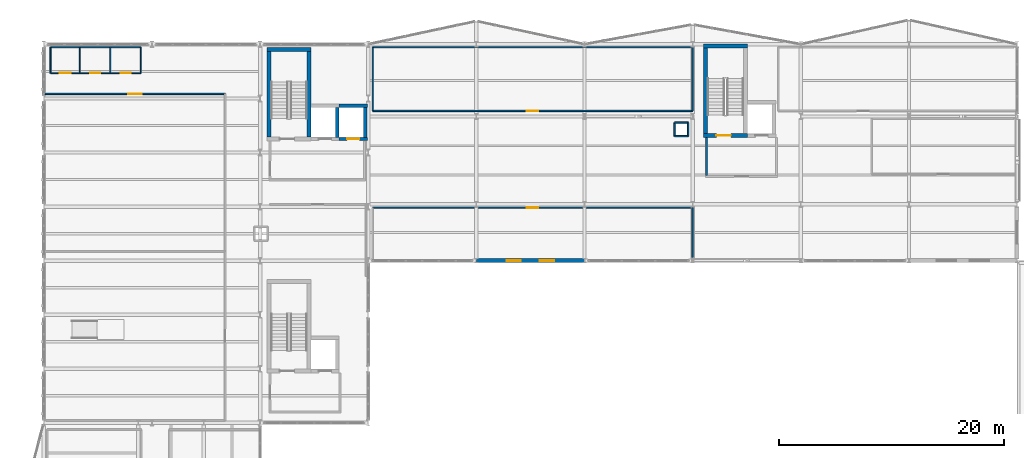
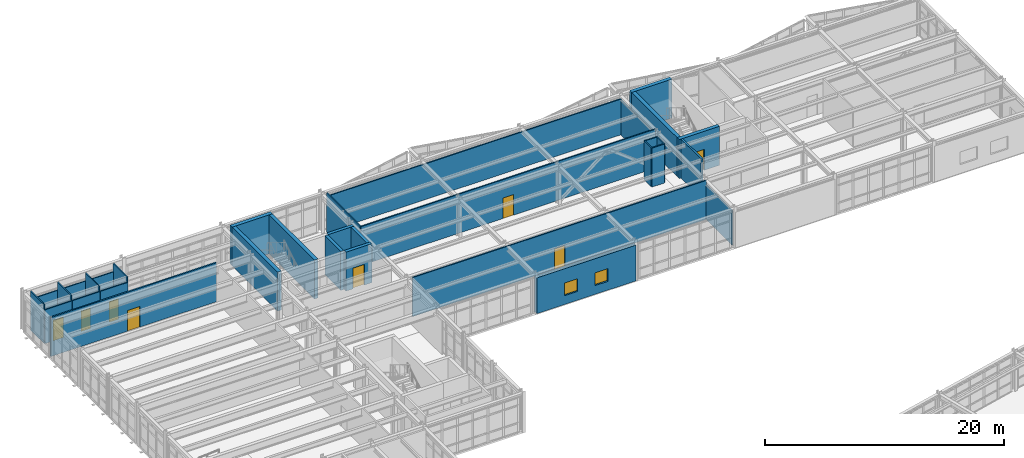
# One storey, part 65 of 76: 33 walls, 8 doors, 2 windows, 10 openings.
"""IFC4 building model written with IfcOpenShell, lengths in metres."""

from ifc_helpers import new_model, si_unit, direction, frame, frame_2d, origin, place, context, subcontext, project, spatial, rectangle, extrude, material, layer, layer_set, type_object, element, fill, save


model = new_model("IFC4")

# Units and contexts
model_context = context("Model", 3, precision=1e-05, world=origin(), true_north=direction((0.0, 1.0)))
body_context = subcontext(model_context, "Body", "Model", "MODEL_VIEW")
ifc_project = project(units=[si_unit("LENGTHUNIT", "METRE"), si_unit("AREAUNIT", "SQUARE_METRE"), si_unit("VOLUMEUNIT", "CUBIC_METRE"), si_unit("PLANEANGLEUNIT", "RADIAN"), si_unit("MASSUNIT", "GRAM", prefix="KILO")], contexts=[model_context])

# Site, building, storey
site_placement = place(None, origin())
site = spatial("IfcSite", under=ifc_project, at=site_placement, CompositionType="ELEMENT")
building_placement = place(site_placement, origin())
building = spatial("IfcBuilding", under=site, at=building_placement, Name="Nordkorset Police Headquarters", CompositionType="ELEMENT")
storey_placement = place(building_placement, frame((0.0, 0.0, 13.64990234375)))
storey = spatial("IfcBuildingStorey", under=building, at=storey_placement, Name="L03", CompositionType="ELEMENT", Elevation=13.64990234375)

# Wall, opening, door
ifc_material_1 = material(Name="Gypsum board", Category="gypsum")
ifc_layer_1 = layer(ifc_material_1, 0.139892578125, Name="Gypsum board")
ifc_layer_set_1 = layer_set([ifc_layer_1], Name="Gypsum board")
wall_type_1 = type_object("IfcWallType", Name="Wall_Acoust_140", PredefinedType="PARTITIONING", material=ifc_layer_set_1)
wall_1_placement = place(storey_placement, frame((16.10009765625, 112.39990234375, 0.0), z_axis=(0.0, 0.0, 1.0), x_axis=(-1.0, 0.0, 0.0)))
wall_1 = element("IfcWall", 1, at=wall_1_placement, inside=storey, type_object=wall_type_1, Name="Interior Partition Wall Encrypted Case Coordination Room", PredefinedType="PARTITIONING", context=body_context, shape_type="SweptSolid", body=[
    extrude(rectangle(XDim=16.01513671875, YDim=0.139892578125, at=frame_2d((8.007568359375, 0.0))), origin(), (0.0, 0.0, 1.0), 3.97998046875),
])
opening_1_placement = place(wall_1_placement, frame((7.41748046875, 0.0, 0.0)))
opening_1 = element("IfcOpeningElement", 2, at=opening_1_placement, cuts=wall_1, Name="Opening DR-22", PredefinedType="OPENING", context=body_context, shape_type="SweptSolid", body=[
    extrude(rectangle(XDim=1.179931640625, YDim=2.10009765625, at=frame_2d((0.58984375, 1.050048828125))), frame((0.0, 0.080078125, 0.0), z_axis=(0.0, -1.0, 0.0), x_axis=(1.0, 0.0, 0.0)), (0.0, 0.0, 1.0), 0.159912109375),
])
ifc_material_2 = material(Name="Glulam GL30c", Category="wood")
door_type_1 = type_object("IfcDoorType", Name="Door_Meeting_1180x2100", OperationType="NOTDEFINED", PredefinedType="DOOR", material=ifc_material_2)
door_1_placement = place(opening_1_placement, frame((1.179931640625, 0.0, 0.0), z_axis=(0.0, 0.0, 1.0), x_axis=(-1.0, 0.0, 0.0)))
door_1 = element("IfcDoor", 3, at=door_1_placement, inside=storey, type_object=door_type_1, Name="Interior Door Encrypted Case Coordination Room", OperationType="SINGLE_SWING_LEFT", OverallHeight=2.10009765625, OverallWidth=1.179931640625, PredefinedType="DOOR", context=body_context, shape_type="SweptSolid", body=[
    extrude(rectangle(XDim=1.179931640625, YDim=2.10009765625, at=frame_2d((0.58984375, 1.050048828125))), frame((0.0, 0.02490234375, 0.0), z_axis=(0.0, -1.0, 0.0), x_axis=(1.0, 0.0, 0.0)), (0.0, 0.0, 1.0), 0.050048828125),
])
fill(opening_1, door_1)

# Walls
ifc_material_3 = material(Name="Gypsum board", Category="gypsum")
ifc_layer_2 = layer(ifc_material_3, 0.179931640625, Name="Gypsum board")
ifc_layer_set_2 = layer_set([ifc_layer_2], Name="Gypsum board")
wall_type_2 = type_object("IfcWallType", Name="Wall_Comp_180", PredefinedType="PARTITIONING", material=ifc_layer_set_2)
wall_2_placement = place(storey_placement, frame((58.840087890625, 105.14990234375, 0.0), z_axis=(0.0, 0.0, 1.0), x_axis=(0.0, 1.0, 0.0)))
element("IfcWall", 4, at=wall_2_placement, inside=storey, type_object=wall_type_2, Name="Firefighting Lobby EI 60 Wall K2 L03 W", PredefinedType="PARTITIONING", context=body_context, shape_type="SweptSolid", body=[
    extrude(rectangle(XDim=3.375, YDim=0.179931640625, at=frame_2d((1.6875, 0.0))), origin(), (0.0, 0.0, 1.0), 3.97998046875),
])
ifc_material_4 = material(Name="Concrete C35/45", Category="concrete")
ifc_layer_3 = layer(ifc_material_4, 0.35009765625, Name="Concrete C35/45")
ifc_layer_set_3 = layer_set([ifc_layer_3], Name="Concrete C35/45")
wall_type_3 = type_object("IfcWallType", Name="Wall_CoreShear_350", PredefinedType="SHEAR", material=ifc_layer_set_3)
wall_3_placement = place(storey_placement, frame((19.824951171875, 116.35009765625, 0.0), z_axis=(0.0, 0.0, 1.0), x_axis=(1.0, 0.0, 0.0)))
element("IfcWall", 5, at=wall_3_placement, inside=storey, type_object=wall_type_3, Name="Core K1 Stair Shaft North Shear Wall L03", PredefinedType="SHEAR", context=body_context, shape_type="SweptSolid", body=[
    extrude(rectangle(XDim=3.900146484375, YDim=0.35009765625, at=frame_2d((1.9501953125, 0.0))), origin(), (0.0, 0.0, 1.0), 3.97998046875),
])
for number, where, z_axis, x_axis, name in (
    (6, (20.0, 108.574951171875, 0.0), (0.0, 0.0, 1.0), (0.0, 1.0, 0.0), "Core K1 Stair Shaft West Shear Wall L03"),
    (7, (23.550048828125, 108.574951171875, 0.0), (0.0, 0.0, 1.0), (0.0, 1.0, 0.0), "Core K1 Stair Shaft East Shear Wall L03"),
):
    element("IfcWall", number, at=place(storey_placement, frame(where, z_axis=z_axis, x_axis=x_axis)), inside=storey, type_object=wall_type_3, Name=name, PredefinedType="SHEAR", context=body_context, shape_type="SweptSolid", body=[
        extrude(rectangle(XDim=7.60009765625, YDim=0.35009765625, at=frame_2d((3.800048828125, 0.0))), origin(), (0.0, 0.0, 1.0), 3.97998046875),
    ])

# Wall, opening, door
wall_4_placement = place(storey_placement, frame((58.574951171875, 108.699951171875, 0.0), z_axis=(0.0, 0.0, 1.0), x_axis=(1.0, 0.0, 0.0)))
wall_4 = element("IfcWall", 8, at=wall_4_placement, inside=storey, type_object=wall_type_3, Name="Core K2 Stair Shaft South Shear Wall L03", PredefinedType="SHEAR", context=body_context, shape_type="SweptSolid", body=[
    extrude(rectangle(XDim=3.900146484375, YDim=0.35009765625, at=frame_2d((1.9501953125, 0.0))), origin(), (0.0, 0.0, 1.0), 3.97998046875),
])
opening_2_placement = place(wall_4_placement, frame((1.125, 0.0, 0.0)))
opening_2 = element("IfcOpeningElement", 9, at=opening_2_placement, cuts=wall_4, Name="Opening DR-20", PredefinedType="OPENING", context=body_context, shape_type="SweptSolid", body=[
    extrude(rectangle(XDim=1.300048828125, YDim=2.14990234375, at=frame_2d((0.64990234375, 1.074951171875))), frame((0.0, 0.18505859375, 0.0), z_axis=(0.0, -1.0, 0.0), x_axis=(1.0, 0.0, 0.0)), (0.0, 0.0, 1.0), 0.3701171875),
])
ifc_material_5 = material(Name="Steel S355J2", Category="steel")
door_type_2 = type_object("IfcDoorType", Name="Door_Stair_1300x2150", OperationType="NOTDEFINED", PredefinedType="DOOR", material=ifc_material_5)
door_2_placement = place(opening_2_placement, frame((1.300048828125, 0.0, 0.0), z_axis=(0.0, 0.0, 1.0), x_axis=(-1.0, 0.0, 0.0)))
door_2 = element("IfcDoor", 10, at=door_2_placement, inside=storey, type_object=door_type_2, Name="Protected Stair Fire Door ST-02 L03", OperationType="SINGLE_SWING_RIGHT", OverallHeight=2.14990234375, OverallWidth=1.300048828125, PredefinedType="DOOR", context=body_context, shape_type="SweptSolid", body=[
    extrude(rectangle(XDim=1.300048828125, YDim=2.14990234375, at=frame_2d((0.64990234375, 1.074951171875))), frame((0.0, 0.02490234375, 0.0), z_axis=(0.0, -1.0, 0.0), x_axis=(1.0, 0.0, 0.0)), (0.0, 0.0, 1.0), 0.050048828125),
])
fill(opening_2, door_2)

# Walls
wall_5_placement = place(storey_placement, frame((58.574951171875, 116.64990234375, 0.0), z_axis=(0.0, 0.0, 1.0), x_axis=(1.0, 0.0, 0.0)))
element("IfcWall", 11, at=wall_5_placement, inside=storey, type_object=wall_type_3, Name="Core K2 Stair Shaft North Shear Wall L03", PredefinedType="SHEAR", context=body_context, shape_type="SweptSolid", body=[
    extrude(rectangle(XDim=3.900146484375, YDim=0.35009765625, at=frame_2d((1.9501953125, 0.0))), origin(), (0.0, 0.0, 1.0), 3.97998046875),
])
wall_6_placement = place(storey_placement, frame((58.75, 108.875, 0.0), z_axis=(0.0, 0.0, 1.0), x_axis=(0.0, 1.0, 0.0)))
element("IfcWall", 12, at=wall_6_placement, inside=storey, type_object=wall_type_3, Name="Core K2 Stair Shaft West Shear Wall L03", PredefinedType="SHEAR", context=body_context, shape_type="SweptSolid", body=[
    extrude(rectangle(XDim=7.60009765625, YDim=0.35009765625, at=frame_2d((3.800048828125, 0.0))), origin(), (0.0, 0.0, 1.0), 3.97998046875),
])

# Wall, openings, windows
ifc_material_6 = material(Name="Precast concrete C40/50", Category="concrete")
ifc_layer_4 = layer(ifc_material_6, 0.360107421875, Name="Precast concrete C40/50")
ifc_layer_set_4 = layer_set([ifc_layer_4], Name="Precast concrete C40/50")
wall_type_4 = type_object("IfcWallType", Name="Wall_ExtPrecast_360", PredefinedType="SOLIDWALL", material=ifc_layer_set_4)
wall_7_placement = place(storey_placement, frame((38.407958984375, 97.60009765625, 0.0), z_axis=(0.0, 0.0, 1.0), x_axis=(1.0, 0.0, 0.0)))
wall_7 = element("IfcWall", 13, at=wall_7_placement, inside=storey, type_object=wall_type_4, Name="Exterior Insulated Precast Wall L03 V2S-1", PredefinedType="SOLIDWALL", context=body_context, shape_type="SweptSolid", body=[
    extrude(rectangle(XDim=9.583984375, YDim=0.360107421875, at=frame_2d((4.7919921875, 0.0))), origin(), (0.0, 0.0, 1.0), 3.650146484375),
])
opening_3_placement = place(wall_7_placement, frame((2.7001953125, 0.0, 0.89990234375)))
opening_3 = element("IfcOpeningElement", 14, at=opening_3_placement, cuts=wall_7, Name="Opening WN-03", PredefinedType="OPENING", context=body_context, shape_type="SweptSolid", body=[
    extrude(rectangle(XDim=1.25, YDim=1.300048828125, at=frame_2d((0.625, 0.64990234375))), frame((0.0, 0.18994140625, 0.0), z_axis=(0.0, -1.0, 0.0), x_axis=(1.0, 0.0, 0.0)), (0.0, 0.0, 1.0), 0.380126953125),
])
opening_4_placement = place(wall_7_placement, frame((5.6337890625, 0.0, 0.89990234375)))
opening_4 = element("IfcOpeningElement", 15, at=opening_4_placement, cuts=wall_7, Name="Opening WN-03", PredefinedType="OPENING", context=body_context, shape_type="SweptSolid", body=[
    extrude(rectangle(XDim=1.25, YDim=1.300048828125, at=frame_2d((0.625, 0.64990234375))), frame((0.0, 0.18994140625, 0.0), z_axis=(0.0, -1.0, 0.0), x_axis=(1.0, 0.0, 0.0)), (0.0, 0.0, 1.0), 0.380126953125),
])
ifc_material_7 = material(Name="Low-iron triple glazing", Category="glass")
window_type = type_object("IfcWindowType", Name="Win_1250x1300", PartitioningType="SINGLE_PANEL", PredefinedType="WINDOW", material=ifc_material_7)
window_1_placement = place(opening_3_placement, origin())
window_1 = element("IfcWindow", 16, at=window_1_placement, inside=storey, type_object=window_type, Name="Triple-Glazed Exterior Window L03 V2S-1-1", OverallHeight=1.300048828125, OverallWidth=1.25, PartitioningType="SINGLE_PANEL", PredefinedType="WINDOW", context=body_context, shape_type="SweptSolid", body=[
    extrude(rectangle(XDim=1.25, YDim=1.300048828125, at=frame_2d((0.625, 0.64990234375))), frame((0.0, 0.030029296875, 0.0), z_axis=(0.0, -1.0, 0.0), x_axis=(1.0, 0.0, 0.0)), (0.0, 0.0, 1.0), 0.06005859375),
])
fill(opening_3, window_1)
window_2_placement = place(opening_4_placement, origin())
window_2 = element("IfcWindow", 17, at=window_2_placement, inside=storey, type_object=window_type, Name="Triple-Glazed Exterior Window L03 V2S-1-2", OverallHeight=1.300048828125, OverallWidth=1.25, PartitioningType="SINGLE_PANEL", PredefinedType="WINDOW", context=body_context, shape_type="SweptSolid", body=[
    extrude(rectangle(XDim=1.25, YDim=1.300048828125, at=frame_2d((0.625, 0.64990234375))), frame((0.0, 0.030029296875, 0.0), z_axis=(0.0, -1.0, 0.0), x_axis=(1.0, 0.0, 0.0)), (0.0, 0.0, 1.0), 0.06005859375),
])
fill(opening_4, window_2)

# Wall, opening, door
ifc_material_8 = material(Name="Gypsum board", Category="gypsum")
ifc_layer_5 = layer(ifc_material_8, 0.10009765625, Name="Gypsum board")
ifc_layer_set_5 = layer_set([ifc_layer_5], Name="Gypsum board")
wall_type_5 = type_object("IfcWallType", Name="Wall_Part_100", PredefinedType="PARTITIONING", material=ifc_layer_set_5)
wall_8_placement = place(storey_placement, frame((0.60009765625, 114.25, 0.0), z_axis=(0.0, 0.0, 1.0), x_axis=(1.0, 0.0, 0.0)))
wall_8 = element("IfcWall", 18, at=wall_8_placement, inside=storey, type_object=wall_type_5, Name="Interior Partition Wall Accessible WC L03W", PredefinedType="PARTITIONING", context=body_context, shape_type="SweptSolid", body=[
    extrude(rectangle(XDim=2.599853515625, YDim=0.10009765625, at=frame_2d((1.2998046875, 0.0))), origin(), (0.0, 0.0, 1.0), 3.460205078125),
])
opening_5_placement = place(wall_8_placement, frame((0.800048828125, 0.0, 0.0)))
opening_5 = element("IfcOpeningElement", 19, at=opening_5_placement, cuts=wall_8, Name="Opening DR-23", PredefinedType="OPENING", context=body_context, shape_type="SweptSolid", body=[
    extrude(rectangle(XDim=1.0, YDim=2.080078125, at=frame_2d((0.5, 1.0400390625))), frame((0.0, 0.06005859375, 0.0), z_axis=(0.0, -1.0, 0.0), x_axis=(1.0, 0.0, 0.0)), (0.0, 0.0, 1.0), 0.1201171875),
])
ifc_material_9 = material(Name="Glulam GL30c", Category="wood")
door_type_3 = type_object("IfcDoorType", Name="Door_WCAccess_1000x2080", OperationType="NOTDEFINED", PredefinedType="DOOR", material=ifc_material_9)
door_3_placement = place(opening_5_placement, origin())
door_3 = element("IfcDoor", 20, at=door_3_placement, inside=storey, type_object=door_type_3, Name="Interior Door Accessible WC L03W", OperationType="SINGLE_SWING_RIGHT", OverallHeight=2.080078125, OverallWidth=1.0, PredefinedType="DOOR", context=body_context, shape_type="SweptSolid", body=[
    extrude(rectangle(XDim=1.0, YDim=2.080078125, at=frame_2d((0.5, 1.0400390625))), frame((0.0, 0.02490234375, 0.0), z_axis=(0.0, -1.0, 0.0), x_axis=(1.0, 0.0, 0.0)), (0.0, 0.0, 1.0), 0.050048828125),
])
fill(opening_5, door_3)

# Walls
wall_9_placement = place(storey_placement, frame((3.199951171875, 114.25, 0.0), z_axis=(0.0, 0.0, 1.0), x_axis=(0.0, 1.0, 0.0)))
element("IfcWall", 21, at=wall_9_placement, inside=storey, type_object=wall_type_5, Name="Interior Partition Wall Accessible WC L03W", PredefinedType="PARTITIONING", context=body_context, shape_type="SweptSolid", body=[
    extrude(rectangle(XDim=2.300048828125, YDim=0.10009765625, at=frame_2d((1.14990234375, 0.0))), origin(), (0.0, 0.0, 1.0), 3.97998046875),
])
wall_10_placement = place(storey_placement, frame((3.199951171875, 116.550048828125, 0.0), z_axis=(0.0, 0.0, 1.0), x_axis=(-1.0, 0.0, 0.0)))
element("IfcWall", 22, at=wall_10_placement, inside=storey, type_object=wall_type_5, Name="Interior Partition Wall Accessible WC L03W", PredefinedType="PARTITIONING", context=body_context, shape_type="SweptSolid", body=[
    extrude(rectangle(XDim=2.599853515625, YDim=0.10009765625, at=frame_2d((1.2998046875, 0.0))), origin(), (0.0, 0.0, 1.0), 3.16015625),
])
wall_11_placement = place(storey_placement, frame((0.60009765625, 116.550048828125, 0.0), z_axis=(0.0, 0.0, 1.0), x_axis=(0.0, -1.0, 0.0)))
element("IfcWall", 23, at=wall_11_placement, inside=storey, type_object=wall_type_5, Name="Interior Partition Wall Accessible WC L03W", PredefinedType="PARTITIONING", context=body_context, shape_type="SweptSolid", body=[
    extrude(rectangle(XDim=2.300048828125, YDim=0.10009765625, at=frame_2d((1.14990234375, 0.0))), origin(), (0.0, 0.0, 1.0), 3.97998046875),
])

# Wall, opening, door
wall_12_placement = place(storey_placement, frame((3.2451171875, 114.25, 0.0), z_axis=(0.0, 0.0, 1.0), x_axis=(1.0, 0.0, 0.0)))
wall_12 = element("IfcWall", 24, at=wall_12_placement, inside=storey, type_object=wall_type_5, Name="Interior Partition Wall Staff Female WC L03W", PredefinedType="PARTITIONING", context=body_context, shape_type="SweptSolid", body=[
    extrude(rectangle(XDim=2.65478515625, YDim=0.10009765625, at=frame_2d((1.327392578125, 0.0))), origin(), (0.0, 0.0, 1.0), 3.460205078125),
])
opening_6_placement = place(wall_12_placement, frame((0.867431640625, 0.0, 0.0)))
opening_6 = element("IfcOpeningElement", 25, at=opening_6_placement, cuts=wall_12, Name="Opening DR-21", PredefinedType="OPENING", context=body_context, shape_type="SweptSolid", body=[
    extrude(rectangle(XDim=0.919921875, YDim=2.080078125, at=frame_2d((0.4599609375, 1.0400390625))), frame((0.0, 0.06005859375, 0.0), z_axis=(0.0, -1.0, 0.0), x_axis=(1.0, 0.0, 0.0)), (0.0, 0.0, 1.0), 0.1201171875),
])
ifc_material_10 = material(Name="Glulam GL30c", Category="wood")
door_type_4 = type_object("IfcDoorType", Name="Door_WCStaff_920x2080", OperationType="NOTDEFINED", PredefinedType="DOOR", material=ifc_material_10)
door_4_placement = place(opening_6_placement, frame((0.919921875, 0.0, 0.0), z_axis=(0.0, 0.0, 1.0), x_axis=(-1.0, 0.0, 0.0)))
door_4 = element("IfcDoor", 26, at=door_4_placement, inside=storey, type_object=door_type_4, Name="Interior Door Staff Female WC L03W", OperationType="SINGLE_SWING_LEFT", OverallHeight=2.080078125, OverallWidth=0.919921875, PredefinedType="DOOR", context=body_context, shape_type="SweptSolid", body=[
    extrude(rectangle(XDim=0.919921875, YDim=2.080078125, at=frame_2d((0.4599609375, 1.0400390625))), frame((0.0, 0.02490234375, 0.0), z_axis=(0.0, -1.0, 0.0), x_axis=(1.0, 0.0, 0.0)), (0.0, 0.0, 1.0), 0.050048828125),
])
fill(opening_6, door_4)

# Walls
wall_13_placement = place(storey_placement, frame((5.89990234375, 114.25, 0.0), z_axis=(0.0, 0.0, 1.0), x_axis=(0.0, 1.0, 0.0)))
element("IfcWall", 27, at=wall_13_placement, inside=storey, type_object=wall_type_5, Name="Interior Partition Wall Staff Female WC L03W", PredefinedType="PARTITIONING", context=body_context, shape_type="SweptSolid", body=[
    extrude(rectangle(XDim=2.300048828125, YDim=0.10009765625, at=frame_2d((1.14990234375, 0.0))), origin(), (0.0, 0.0, 1.0), 3.97998046875),
])
wall_14_placement = place(storey_placement, frame((5.89990234375, 116.550048828125, 0.0), z_axis=(0.0, 0.0, 1.0), x_axis=(-1.0, 0.0, 0.0)))
element("IfcWall", 28, at=wall_14_placement, inside=storey, type_object=wall_type_5, Name="Interior Partition Wall Staff Female WC L03W", PredefinedType="PARTITIONING", context=body_context, shape_type="SweptSolid", body=[
    extrude(rectangle(XDim=2.65478515625, YDim=0.10009765625, at=frame_2d((1.327392578125, 0.0))), origin(), (0.0, 0.0, 1.0), 3.16015625),
])

# Wall, opening, door
wall_15_placement = place(storey_placement, frame((5.945068359375, 114.25, 0.0), z_axis=(0.0, 0.0, 1.0), x_axis=(1.0, 0.0, 0.0)))
wall_15 = element("IfcWall", 29, at=wall_15_placement, inside=storey, type_object=wall_type_5, Name="Interior Partition Wall Staff Male WC L03W", PredefinedType="PARTITIONING", context=body_context, shape_type="SweptSolid", body=[
    extrude(rectangle(XDim=2.655029296875, YDim=0.10009765625, at=frame_2d((1.32763671875, 0.0))), origin(), (0.0, 0.0, 1.0), 3.460205078125),
])
opening_7_placement = place(wall_15_placement, frame((0.867431640625, 0.0, 0.0)))
opening_7 = element("IfcOpeningElement", 30, at=opening_7_placement, cuts=wall_15, Name="Opening DR-21", PredefinedType="OPENING", context=body_context, shape_type="SweptSolid", body=[
    extrude(rectangle(XDim=0.919921875, YDim=2.080078125, at=frame_2d((0.4599609375, 1.0400390625))), frame((0.0, 0.06005859375, 0.0), z_axis=(0.0, -1.0, 0.0), x_axis=(1.0, 0.0, 0.0)), (0.0, 0.0, 1.0), 0.1201171875),
])
door_5_placement = place(opening_7_placement, origin())
door_5 = element("IfcDoor", 31, at=door_5_placement, inside=storey, type_object=door_type_4, Name="Interior Door Staff Male WC L03W", OperationType="SINGLE_SWING_RIGHT", OverallHeight=2.080078125, OverallWidth=0.919921875, PredefinedType="DOOR", context=body_context, shape_type="SweptSolid", body=[
    extrude(rectangle(XDim=0.919921875, YDim=2.080078125, at=frame_2d((0.4599609375, 1.0400390625))), frame((0.0, 0.02490234375, 0.0), z_axis=(0.0, -1.0, 0.0), x_axis=(1.0, 0.0, 0.0)), (0.0, 0.0, 1.0), 0.050048828125),
])
fill(opening_7, door_5)

# Walls
wall_16_placement = place(storey_placement, frame((8.60009765625, 114.25, 0.0), z_axis=(0.0, 0.0, 1.0), x_axis=(0.0, 1.0, 0.0)))
element("IfcWall", 32, at=wall_16_placement, inside=storey, type_object=wall_type_5, Name="Interior Partition Wall Staff Male WC L03W", PredefinedType="PARTITIONING", context=body_context, shape_type="SweptSolid", body=[
    extrude(rectangle(XDim=2.300048828125, YDim=0.10009765625, at=frame_2d((1.14990234375, 0.0))), origin(), (0.0, 0.0, 1.0), 3.97998046875),
])
wall_17_placement = place(storey_placement, frame((8.60009765625, 116.550048828125, 0.0), z_axis=(0.0, 0.0, 1.0), x_axis=(-1.0, 0.0, 0.0)))
element("IfcWall", 33, at=wall_17_placement, inside=storey, type_object=wall_type_5, Name="Interior Partition Wall Staff Male WC L03W", PredefinedType="PARTITIONING", context=body_context, shape_type="SweptSolid", body=[
    extrude(rectangle(XDim=2.655029296875, YDim=0.10009765625, at=frame_2d((1.32763671875, 0.0))), origin(), (0.0, 0.0, 1.0), 3.16015625),
])

# Wall, opening, door
ifc_material_11 = material(Name="Gypsum board", Category="gypsum")
ifc_layer_6 = layer(ifc_material_11, 0.1201171875, Name="Gypsum board")
ifc_layer_set_6 = layer_set([ifc_layer_6], Name="Gypsum board")
wall_type_6 = type_object("IfcWallType", Name="Wall_Part_120", PredefinedType="PARTITIONING", material=ifc_layer_set_6)
wall_18_placement = place(storey_placement, frame((29.199951171875, 110.89990234375, 0.0), z_axis=(0.0, 0.0, 1.0), x_axis=(1.0, 0.0, 0.0)))
wall_18 = element("IfcWall", 34, at=wall_18_placement, inside=storey, type_object=wall_type_6, Name="Interior Partition Wall Financial and Economic Crime Division", PredefinedType="PARTITIONING", context=body_context, shape_type="SweptSolid", body=[
    extrude(rectangle(XDim=28.400146484375, YDim=0.1201171875, at=frame_2d((14.2001953125, 0.0))), origin(), (0.0, 0.0, 1.0), 3.97998046875),
])
opening_8_placement = place(wall_18_placement, frame((13.68994140625, 0.0, 0.0)))
opening_8 = element("IfcOpeningElement", 35, at=opening_8_placement, cuts=wall_18, Name="Opening DR-19", PredefinedType="OPENING", context=body_context, shape_type="SweptSolid", body=[
    extrude(rectangle(XDim=1.02001953125, YDim=2.10009765625, at=frame_2d((0.510009765625, 1.050048828125))), frame((0.0, 0.070068359375, 0.0), z_axis=(0.0, -1.0, 0.0), x_axis=(1.0, 0.0, 0.0)), (0.0, 0.0, 1.0), 0.14013671875),
])
ifc_material_12 = material(Name="Glulam GL30c", Category="wood")
door_type_5 = type_object("IfcDoorType", Name="Door_Office_1020x2100", OperationType="NOTDEFINED", PredefinedType="DOOR", material=ifc_material_12)
door_6_placement = place(opening_8_placement, origin())
door_6 = element("IfcDoor", 36, at=door_6_placement, inside=storey, type_object=door_type_5, Name="Interior Door Financial and Economic Crime Division", OperationType="SINGLE_SWING_RIGHT", OverallHeight=2.10009765625, OverallWidth=1.02001953125, PredefinedType="DOOR", context=body_context, shape_type="SweptSolid", body=[
    extrude(rectangle(XDim=1.02001953125, YDim=2.10009765625, at=frame_2d((0.510009765625, 1.050048828125))), frame((0.0, 0.02490234375, 0.0), z_axis=(0.0, -1.0, 0.0), x_axis=(1.0, 0.0, 0.0)), (0.0, 0.0, 1.0), 0.050048828125),
])
fill(opening_8, door_6)

# Walls
wall_19_placement = place(storey_placement, frame((57.60009765625, 110.89990234375, 0.0), z_axis=(0.0, 0.0, 1.0), x_axis=(0.0, 1.0, 0.0)))
element("IfcWall", 37, at=wall_19_placement, inside=storey, type_object=wall_type_6, Name="Interior Partition Wall Financial and Economic Crime Division", PredefinedType="PARTITIONING", context=body_context, shape_type="SweptSolid", body=[
    extrude(rectangle(XDim=5.650146484375, YDim=0.1201171875, at=frame_2d((2.8251953125, 0.0))), origin(), (0.0, 0.0, 1.0), 3.52001953125),
])
wall_20_placement = place(storey_placement, frame((57.60009765625, 116.550048828125, 0.0), z_axis=(0.0, 0.0, 1.0), x_axis=(-1.0, 0.0, 0.0)))
element("IfcWall", 38, at=wall_20_placement, inside=storey, type_object=wall_type_6, Name="Interior Partition Wall Financial and Economic Crime Division", PredefinedType="PARTITIONING", context=body_context, shape_type="SweptSolid", body=[
    extrude(rectangle(XDim=28.400146484375, YDim=0.1201171875, at=frame_2d((14.2001953125, 0.0))), origin(), (0.0, 0.0, 1.0), 3.650146484375),
])
wall_21_placement = place(storey_placement, frame((29.199951171875, 116.550048828125, 0.0), z_axis=(0.0, 0.0, 1.0), x_axis=(0.0, -1.0, 0.0)))
element("IfcWall", 39, at=wall_21_placement, inside=storey, type_object=wall_type_6, Name="Interior Partition Wall Financial and Economic Crime Division", PredefinedType="PARTITIONING", context=body_context, shape_type="SweptSolid", body=[
    extrude(rectangle(XDim=5.650146484375, YDim=0.1201171875, at=frame_2d((2.8251953125, 0.0))), origin(), (0.0, 0.0, 1.0), 3.97998046875),
])
wall_22_placement = place(storey_placement, frame((57.60009765625, 97.89990234375, 0.0), z_axis=(0.0, 0.0, 1.0), x_axis=(0.0, 1.0, 0.0)))
element("IfcWall", 40, at=wall_22_placement, inside=storey, type_object=wall_type_6, Name="Interior Partition Wall Criminal Law Reference Library", PredefinedType="PARTITIONING", context=body_context, shape_type="SweptSolid", body=[
    extrude(rectangle(XDim=4.400146484375, YDim=0.1201171875, at=frame_2d((2.2001953125, 0.0))), origin(), (0.0, 0.0, 1.0), 3.52001953125),
])

# Wall, opening, door
wall_23_placement = place(storey_placement, frame((57.60009765625, 102.300048828125, 0.0), z_axis=(0.0, 0.0, 1.0), x_axis=(-1.0, 0.0, 0.0)))
wall_23 = element("IfcWall", 41, at=wall_23_placement, inside=storey, type_object=wall_type_6, Name="Interior Partition Wall Criminal Law Reference Library", PredefinedType="PARTITIONING", context=body_context, shape_type="SweptSolid", body=[
    extrude(rectangle(XDim=28.400146484375, YDim=0.1201171875, at=frame_2d((14.2001953125, 0.0))), origin(), (0.0, 0.0, 1.0), 3.97998046875),
])
opening_9_placement = place(wall_23_placement, frame((13.68994140625, 0.0, 0.0)))
opening_9 = element("IfcOpeningElement", 42, at=opening_9_placement, cuts=wall_23, Name="Opening DR-19", PredefinedType="OPENING", context=body_context, shape_type="SweptSolid", body=[
    extrude(rectangle(XDim=1.02001953125, YDim=2.10009765625, at=frame_2d((0.510009765625, 1.050048828125))), frame((0.0, 0.070068359375, 0.0), z_axis=(0.0, -1.0, 0.0), x_axis=(1.0, 0.0, 0.0)), (0.0, 0.0, 1.0), 0.14013671875),
])
door_7_placement = place(opening_9_placement, origin())
door_7 = element("IfcDoor", 43, at=door_7_placement, inside=storey, type_object=door_type_5, Name="Interior Door Criminal Law Reference Library", OperationType="SINGLE_SWING_RIGHT", OverallHeight=2.10009765625, OverallWidth=1.02001953125, PredefinedType="DOOR", context=body_context, shape_type="SweptSolid", body=[
    extrude(rectangle(XDim=1.02001953125, YDim=2.10009765625, at=frame_2d((0.510009765625, 1.050048828125))), frame((0.0, 0.02490234375, 0.0), z_axis=(0.0, -1.0, 0.0), x_axis=(1.0, 0.0, 0.0)), (0.0, 0.0, 1.0), 0.050048828125),
])
fill(opening_9, door_7)

# Walls
ifc_material_13 = material(Name="Gypsum board", Category="gypsum")
ifc_layer_7 = layer(ifc_material_13, 0.125, Name="Gypsum board")
ifc_layer_set_7 = layer_set([ifc_layer_7], Name="Gypsum board")
wall_type_7 = type_object("IfcWallType", Name="Wall_Riser_125", PredefinedType="PARTITIONING", material=ifc_layer_set_7)
wall_24_placement = place(storey_placement, frame((56.0, 108.64990234375, 0.0), z_axis=(0.0, 0.0, 1.0), x_axis=(1.0, 0.0, 0.0)))
element("IfcWall", 44, at=wall_24_placement, inside=storey, type_object=wall_type_7, Name="Service Riser Enclosure RSR-V2 L03", PredefinedType="PARTITIONING", context=body_context, shape_type="SweptSolid", body=[
    extrude(rectangle(XDim=1.199951171875, YDim=0.125, at=frame_2d((0.60009765625, 0.0))), origin(), (0.0, 0.0, 1.0), 3.97998046875),
])
wall_25_placement = place(storey_placement, frame((57.199951171875, 108.64990234375, 0.0), z_axis=(0.0, 0.0, 1.0), x_axis=(0.0, 1.0, 0.0)))
element("IfcWall", 45, at=wall_25_placement, inside=storey, type_object=wall_type_7, Name="Service Riser Enclosure RSR-V2 L03", PredefinedType="PARTITIONING", context=body_context, shape_type="SweptSolid", body=[
    extrude(rectangle(XDim=1.2001953125, YDim=0.125, at=frame_2d((0.60009765625, 0.0))), origin(), (0.0, 0.0, 1.0), 3.97998046875),
])
wall_26_placement = place(storey_placement, frame((57.199951171875, 109.85009765625, 0.0), z_axis=(0.0, 0.0, 1.0), x_axis=(-1.0, 0.0, 0.0)))
element("IfcWall", 46, at=wall_26_placement, inside=storey, type_object=wall_type_7, Name="Service Riser Enclosure RSR-V2 L03", PredefinedType="PARTITIONING", context=body_context, shape_type="SweptSolid", body=[
    extrude(rectangle(XDim=1.199951171875, YDim=0.125, at=frame_2d((0.60009765625, 0.0))), origin(), (0.0, 0.0, 1.0), 3.97998046875),
])
wall_27_placement = place(storey_placement, frame((56.0, 109.85009765625, 0.0), z_axis=(0.0, 0.0, 1.0), x_axis=(0.0, -1.0, 0.0)))
element("IfcWall", 47, at=wall_27_placement, inside=storey, type_object=wall_type_7, Name="Service Riser Enclosure RSR-V2 L03", PredefinedType="PARTITIONING", context=body_context, shape_type="SweptSolid", body=[
    extrude(rectangle(XDim=1.2001953125, YDim=0.125, at=frame_2d((0.60009765625, 0.0))), origin(), (0.0, 0.0, 1.0), 3.97998046875),
])
ifc_material_14 = material(Name="Concrete C35/45", Category="concrete")
ifc_layer_8 = layer(ifc_material_14, 0.300048828125, Name="Concrete C35/45")
ifc_layer_set_8 = layer_set([ifc_layer_8], Name="Concrete C35/45")
wall_type_8 = type_object("IfcWallType", Name="Wall_ShaftShear_300", PredefinedType="SHEAR", material=ifc_layer_set_8)
wall_28_placement = place(storey_placement, frame((26.050048828125, 108.550048828125, 0.0), z_axis=(0.0, 0.0, 1.0), x_axis=(0.0, 1.0, 0.0)))
element("IfcWall", 48, at=wall_28_placement, inside=storey, type_object=wall_type_8, Name="Lift Shaft LF-01 East Shear Wall L03", PredefinedType="SHEAR", context=body_context, shape_type="SweptSolid", body=[
    extrude(rectangle(XDim=2.64990234375, YDim=0.300048828125, at=frame_2d((1.324951171875, 0.0))), origin(), (0.0, 0.0, 1.0), 3.97998046875),
])

# Wall, opening, door
wall_29_placement = place(storey_placement, frame((26.22509765625, 108.39990234375, 0.0), z_axis=(0.0, 0.0, 1.0), x_axis=(1.0, 0.0, 0.0)))
wall_29 = element("IfcWall", 49, at=wall_29_placement, inside=storey, type_object=wall_type_8, Name="Lift Shaft LF-02 Front Shear Wall L03", PredefinedType="SHEAR", context=body_context, shape_type="SweptSolid", body=[
    extrude(rectangle(XDim=2.5, YDim=0.300048828125, at=frame_2d((1.25, 0.0))), origin(), (0.0, 0.0, 1.0), 3.97998046875),
])
opening_10_placement = place(wall_29_placement, frame((0.699951171875, 0.0, 0.0)))
opening_10 = element("IfcOpeningElement", 50, at=opening_10_placement, cuts=wall_29, Name="Opening LD-02", PredefinedType="OPENING", context=body_context, shape_type="SweptSolid", body=[
    extrude(rectangle(XDim=1.10009765625, YDim=2.10009765625, at=frame_2d((0.550048828125, 1.050048828125))), frame((0.0, 0.16015625, 0.0), z_axis=(0.0, -1.0, 0.0), x_axis=(1.0, 0.0, 0.0)), (0.0, 0.0, 1.0), 0.320068359375),
])
ifc_material_15 = material(Name="Steel S355J2", Category="steel")
door_type_6 = type_object("IfcDoorType", Name="Door_LiftLanding_1100x2100", OperationType="SLIDING_TO_LEFT", PredefinedType="DOOR", material=ifc_material_15)
door_8_placement = place(opening_10_placement, frame((1.10009765625, 0.0, 0.0), z_axis=(0.0, 0.0, 1.0), x_axis=(-1.0, 0.0, 0.0)))
door_8 = element("IfcDoor", 51, at=door_8_placement, inside=storey, type_object=door_type_6, Name="Lift Landing Sliding Door LF-02 L03", OperationType="SLIDING_TO_LEFT", OverallHeight=2.10009765625, OverallWidth=1.10009765625, PredefinedType="DOOR", context=body_context, shape_type="SweptSolid", body=[
    extrude(rectangle(XDim=1.10009765625, YDim=2.10009765625, at=frame_2d((0.550048828125, 1.050048828125))), frame((0.0, 0.02490234375, 0.0), z_axis=(0.0, -1.0, 0.0), x_axis=(1.0, 0.0, 0.0)), (0.0, 0.0, 1.0), 0.050048828125),
])
fill(opening_10, door_8)

# Walls
wall_30_placement = place(storey_placement, frame((26.22509765625, 111.35009765625, 0.0), z_axis=(0.0, 0.0, 1.0), x_axis=(1.0, 0.0, 0.0)))
element("IfcWall", 52, at=wall_30_placement, inside=storey, type_object=wall_type_8, Name="Lift Shaft LF-02 Rear Shear Wall L03", PredefinedType="SHEAR", context=body_context, shape_type="SweptSolid", body=[
    extrude(rectangle(XDim=2.5, YDim=0.300048828125, at=frame_2d((1.25, 0.0))), origin(), (0.0, 0.0, 1.0), 3.97998046875),
])
wall_31_placement = place(storey_placement, frame((28.550048828125, 108.550048828125, 0.0), z_axis=(0.0, 0.0, 1.0), x_axis=(0.0, 1.0, 0.0)))
element("IfcWall", 53, at=wall_31_placement, inside=storey, type_object=wall_type_8, Name="Lift Shaft LF-02 East Shear Wall L03", PredefinedType="SHEAR", context=body_context, shape_type="SweptSolid", body=[
    extrude(rectangle(XDim=2.64990234375, YDim=0.300048828125, at=frame_2d((1.324951171875, 0.0))), origin(), (0.0, 0.0, 1.0), 3.97998046875),
])

save(model, "model.ifc")
